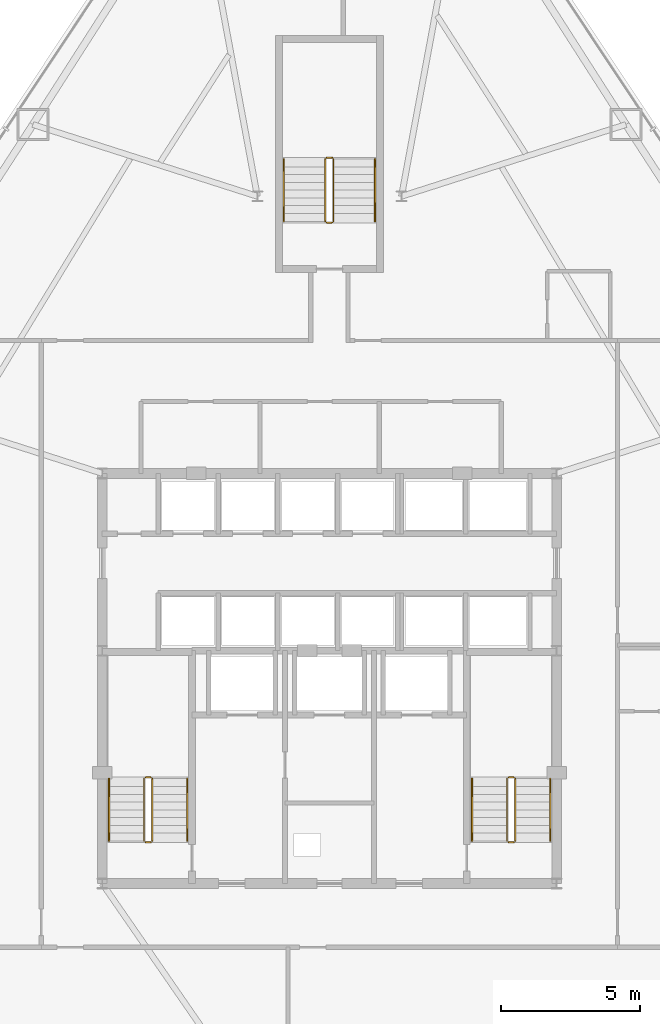
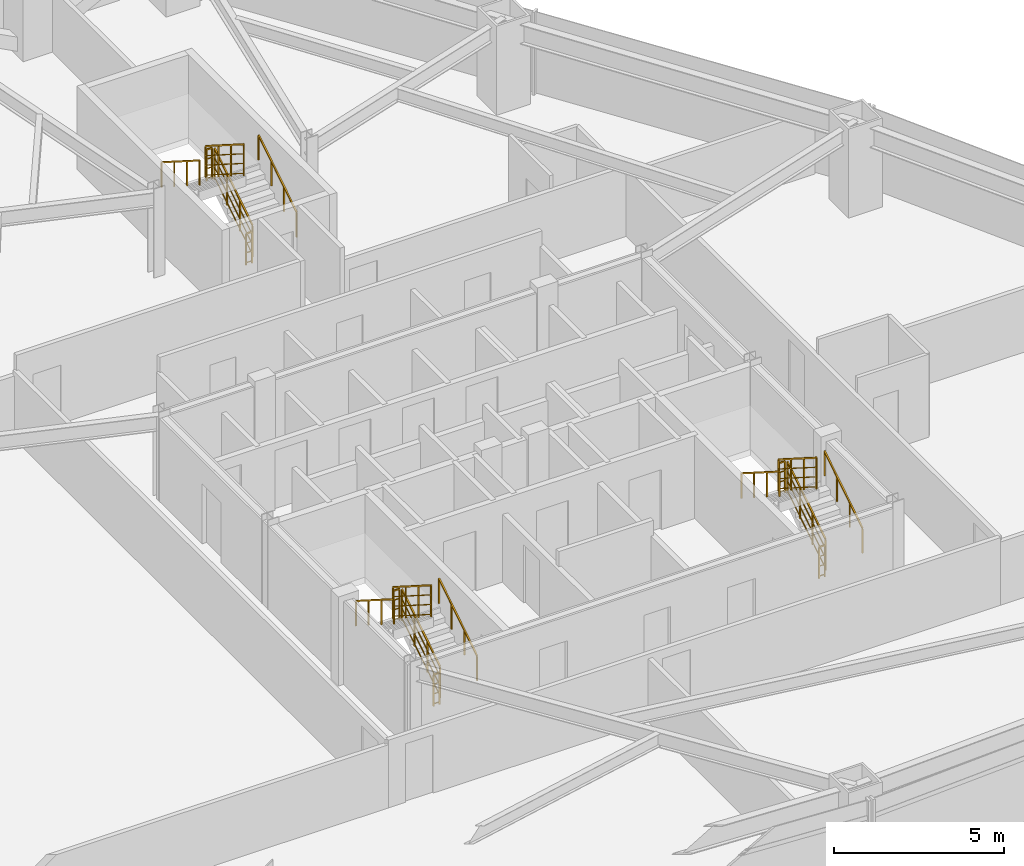
# One storey, part 12 of 12: 18 railings.
"""IFC4 building model written with IfcOpenShell, lengths in metres."""

from ifc_helpers import new_model, si_unit, direction, frame, origin, origin_2d, place, context, subcontext, project, spatial, rectangle, extrude, material, type_object, element, save


model = new_model("IFC4")

# Units and contexts
model_context = context("Model", 3, precision=1e-05, world=origin(), true_north=direction((0.0, 1.0)))
body_context = subcontext(model_context, "Body", "Model", "MODEL_VIEW")
ifc_project = project(units=[si_unit("LENGTHUNIT", "METRE"), si_unit("AREAUNIT", "SQUARE_METRE"), si_unit("VOLUMEUNIT", "CUBIC_METRE"), si_unit("PLANEANGLEUNIT", "RADIAN"), si_unit("MASSUNIT", "GRAM", prefix="KILO")], contexts=[model_context])

# Site, building, storey
site_placement = place(None, origin())
site = spatial("IfcSite", under=ifc_project, at=site_placement, CompositionType="ELEMENT")
building_placement = place(site_placement, origin())
building = spatial("IfcBuilding", under=site, at=building_placement, Name="Varakhsha Concourse Tower", CompositionType="ELEMENT")
storey_placement = place(building_placement, frame((0.0, 0.0, 62.39990234375)))
storey = spatial("IfcBuildingStorey", under=building, at=storey_placement, Name="L17", CompositionType="ELEMENT", Elevation=62.39990234375)

# Railings
ifc_material = material(Name="Brushed Austenitic Stainless Steel AISI 316", Category="steel")
railing_type_1 = type_object("IfcRailingType", Name="RL-STAIR-GUARD-1100", PredefinedType="GUARDRAIL", material=ifc_material)
railing_1_placement = place(storey_placement, frame((33.610107421875, 17.93994140625, 0.177978515625)))
element("IfcRailing", 1, at=railing_1_placement, inside=storey, type_object=railing_type_1, Name="L17 ST1 stair guard 1", PredefinedType="GUARDRAIL", context=body_context, shape_type="SweptSolid", body=[
    extrude(rectangle(XDim=0.048095703125, YDim=0.048095703125, at=origin_2d()), frame((0.0, 0.0, 1.1259765625), z_axis=(0.0, 0.8442293374, 0.53598211339), x_axis=(-1.0, 0.0, 0.0)), (0.0, 0.0, 1.0), 2.6533203125),
    extrude(rectangle(XDim=0.028076171875, YDim=0.028076171875, at=origin_2d()), frame((0.0, 0.0, 0.080078125), z_axis=(0.0, 0.8442293374, 0.53598211339), x_axis=(-1.0, 0.0, 0.0)), (0.0, 0.0, 1.0), 2.6533203125),
    extrude(rectangle(XDim=0.028076171875, YDim=0.028076171875, at=origin_2d()), frame((0.0, 0.0, 0.43701171875), z_axis=(0.0, 0.8442293374, 0.53598211339), x_axis=(-1.0, 0.0, 0.0)), (0.0, 0.0, 1.0), 2.6533203125),
    extrude(rectangle(XDim=0.028076171875, YDim=0.028076171875, at=origin_2d()), frame((0.0, 0.0, 0.781982421875), z_axis=(0.0, 0.8442293374, 0.53598211339), x_axis=(-1.0, 0.0, 0.0)), (0.0, 0.0, 1.0), 2.6533203125),
    extrude(rectangle(XDim=0.0419921875, YDim=0.0419921875, at=origin_2d()), origin(), (0.0, 0.0, 1.0), 1.101806640625),
    extrude(rectangle(XDim=0.0419921875, YDim=0.0419921875, at=origin_2d()), frame((0.0, 0.74658203125, 0.47412109375)), (0.0, 0.0, 1.0), 1.101806640625),
    extrude(rectangle(XDim=0.0419921875, YDim=0.0419921875, at=origin_2d()), frame((0.0, 1.493408203125, 0.947998046875)), (0.0, 0.0, 1.0), 1.101806640625),
    extrude(rectangle(XDim=0.0419921875, YDim=0.0419921875, at=origin_2d()), frame((0.0, 2.239990234375, 1.422119140625)), (0.0, 0.0, 1.0), 1.101806640625),
])
railing_2_placement = place(storey_placement, frame((33.56005859375, 20.22998046875, 1.60009765625)))
element("IfcRailing", 2, at=railing_2_placement, inside=storey, type_object=railing_type_1, Name="L17 ST1 stair guard 2", PredefinedType="GUARDRAIL", context=body_context, shape_type="SweptSolid", body=[
    extrude(rectangle(XDim=0.048095703125, YDim=0.048095703125, at=origin_2d()), frame((0.0, 0.0, 1.1259765625), z_axis=(-1.0, 0.0, 0.0), x_axis=(0.0, -1.0, 0.0)), (0.0, 0.0, 1.0), 0.199951171875),
    extrude(rectangle(XDim=0.028076171875, YDim=0.028076171875, at=origin_2d()), frame((0.0, 0.0, 0.080078125), z_axis=(-1.0, 0.0, 0.0), x_axis=(0.0, -1.0, 0.0)), (0.0, 0.0, 1.0), 0.199951171875),
    extrude(rectangle(XDim=0.028076171875, YDim=0.028076171875, at=origin_2d()), frame((0.0, 0.0, 0.43701171875), z_axis=(-1.0, 0.0, 0.0), x_axis=(0.0, -1.0, 0.0)), (0.0, 0.0, 1.0), 0.199951171875),
    extrude(rectangle(XDim=0.028076171875, YDim=0.028076171875, at=origin_2d()), frame((0.0, 0.0, 0.781982421875), z_axis=(-1.0, 0.0, 0.0), x_axis=(0.0, -1.0, 0.0)), (0.0, 0.0, 1.0), 0.199951171875),
    extrude(rectangle(XDim=0.0419921875, YDim=0.0419921875, at=origin_2d()), origin(), (0.0, 0.0, 1.0), 1.101806640625),
    extrude(rectangle(XDim=0.0419921875, YDim=0.0419921875, at=origin_2d()), frame((-0.199951171875, 0.0, 0.0)), (0.0, 0.0, 1.0), 1.101806640625),
])
railing_3_placement = place(storey_placement, frame((33.31005859375, 20.179931640625, 1.77783203125)))
element("IfcRailing", 3, at=railing_3_placement, inside=storey, type_object=railing_type_1, Name="L17 ST1 stair guard 3", PredefinedType="GUARDRAIL", context=body_context, shape_type="SweptSolid", body=[
    extrude(rectangle(XDim=0.048095703125, YDim=0.048095703125, at=origin_2d()), frame((0.0, 0.0, 1.1259765625), z_axis=(0.0, -0.84418770128, 0.536047689118), x_axis=(1.0, 0.0, 0.0)), (0.0, 0.0, 1.0), 2.6533203125),
    extrude(rectangle(XDim=0.028076171875, YDim=0.028076171875, at=origin_2d()), frame((0.0, 0.0, 0.080078125), z_axis=(0.0, -0.84418770128, 0.536047689118), x_axis=(1.0, 0.0, 0.0)), (0.0, 0.0, 1.0), 2.6533203125),
    extrude(rectangle(XDim=0.028076171875, YDim=0.028076171875, at=origin_2d()), frame((0.0, 0.0, 0.43701171875), z_axis=(0.0, -0.84418770128, 0.536047689118), x_axis=(1.0, 0.0, 0.0)), (0.0, 0.0, 1.0), 2.6533203125),
    extrude(rectangle(XDim=0.028076171875, YDim=0.028076171875, at=origin_2d()), frame((0.0, 0.0, 0.781982421875), z_axis=(0.0, -0.84418770128, 0.536047689118), x_axis=(1.0, 0.0, 0.0)), (0.0, 0.0, 1.0), 2.6533203125),
    extrude(rectangle(XDim=0.0419921875, YDim=0.0419921875, at=origin_2d()), origin(), (0.0, 0.0, 1.0), 1.101806640625),
    extrude(rectangle(XDim=0.0419921875, YDim=0.0419921875, at=origin_2d()), frame((0.0, -0.74658203125, 0.47412109375)), (0.0, 0.0, 1.0), 1.101806640625),
    extrude(rectangle(XDim=0.0419921875, YDim=0.0419921875, at=origin_2d()), frame((0.0, -1.493408203125, 0.9482421875)), (0.0, 0.0, 1.0), 1.101806640625),
    extrude(rectangle(XDim=0.0419921875, YDim=0.0419921875, at=origin_2d()), frame((0.0, -2.239990234375, 1.42236328125)), (0.0, 0.0, 1.0), 1.101806640625),
])
railing_4_placement = place(storey_placement, frame((33.56005859375, 17.889892578125, 0.0)))
element("IfcRailing", 4, at=railing_4_placement, inside=storey, type_object=railing_type_1, Name="L17 ST1 stair guard 4", PredefinedType="GUARDRAIL", context=body_context, shape_type="SweptSolid", body=[
    extrude(rectangle(XDim=0.048095703125, YDim=0.048095703125, at=origin_2d()), frame((0.0, 0.0, 1.1259765625), z_axis=(-1.0, 0.0, 0.0), x_axis=(0.0, -1.0, 0.0)), (0.0, 0.0, 1.0), 0.199951171875),
    extrude(rectangle(XDim=0.028076171875, YDim=0.028076171875, at=origin_2d()), frame((0.0, 0.0, 0.080078125), z_axis=(-1.0, 0.0, 0.0), x_axis=(0.0, -1.0, 0.0)), (0.0, 0.0, 1.0), 0.199951171875),
    extrude(rectangle(XDim=0.028076171875, YDim=0.028076171875, at=origin_2d()), frame((0.0, 0.0, 0.43701171875), z_axis=(-1.0, 0.0, 0.0), x_axis=(0.0, -1.0, 0.0)), (0.0, 0.0, 1.0), 0.199951171875),
    extrude(rectangle(XDim=0.028076171875, YDim=0.028076171875, at=origin_2d()), frame((0.0, 0.0, 0.781982421875), z_axis=(-1.0, 0.0, 0.0), x_axis=(0.0, -1.0, 0.0)), (0.0, 0.0, 1.0), 0.199951171875),
    extrude(rectangle(XDim=0.0419921875, YDim=0.0419921875, at=origin_2d()), origin(), (0.0, 0.0, 1.0), 1.101806640625),
    extrude(rectangle(XDim=0.0419921875, YDim=0.0419921875, at=origin_2d()), frame((-0.199951171875, 0.0, 0.0)), (0.0, 0.0, 1.0), 1.101806640625),
])
railing_5_placement = place(storey_placement, frame((46.7099609375, 17.93994140625, 0.177978515625)))
element("IfcRailing", 5, at=railing_5_placement, inside=storey, type_object=railing_type_1, Name="L17 ST2 stair guard 1", PredefinedType="GUARDRAIL", context=body_context, shape_type="SweptSolid", body=[
    extrude(rectangle(XDim=0.048095703125, YDim=0.048095703125, at=origin_2d()), frame((0.0, 0.0, 1.1259765625), z_axis=(0.0, 0.8442293374, 0.53598211339), x_axis=(-1.0, 0.0, 0.0)), (0.0, 0.0, 1.0), 2.6533203125),
    extrude(rectangle(XDim=0.028076171875, YDim=0.028076171875, at=origin_2d()), frame((0.0, 0.0, 0.080078125), z_axis=(0.0, 0.8442293374, 0.53598211339), x_axis=(-1.0, 0.0, 0.0)), (0.0, 0.0, 1.0), 2.6533203125),
    extrude(rectangle(XDim=0.028076171875, YDim=0.028076171875, at=origin_2d()), frame((0.0, 0.0, 0.43701171875), z_axis=(0.0, 0.8442293374, 0.53598211339), x_axis=(-1.0, 0.0, 0.0)), (0.0, 0.0, 1.0), 2.6533203125),
    extrude(rectangle(XDim=0.028076171875, YDim=0.028076171875, at=origin_2d()), frame((0.0, 0.0, 0.781982421875), z_axis=(0.0, 0.8442293374, 0.53598211339), x_axis=(-1.0, 0.0, 0.0)), (0.0, 0.0, 1.0), 2.6533203125),
    extrude(rectangle(XDim=0.0419921875, YDim=0.0419921875, at=origin_2d()), origin(), (0.0, 0.0, 1.0), 1.101806640625),
    extrude(rectangle(XDim=0.0419921875, YDim=0.0419921875, at=origin_2d()), frame((0.0, 0.74658203125, 0.47412109375)), (0.0, 0.0, 1.0), 1.101806640625),
    extrude(rectangle(XDim=0.0419921875, YDim=0.0419921875, at=origin_2d()), frame((0.0, 1.493408203125, 0.947998046875)), (0.0, 0.0, 1.0), 1.101806640625),
    extrude(rectangle(XDim=0.0419921875, YDim=0.0419921875, at=origin_2d()), frame((0.0, 2.239990234375, 1.422119140625)), (0.0, 0.0, 1.0), 1.101806640625),
])
railing_6_placement = place(storey_placement, frame((46.659912109375, 20.22998046875, 1.60009765625)))
element("IfcRailing", 6, at=railing_6_placement, inside=storey, type_object=railing_type_1, Name="L17 ST2 stair guard 2", PredefinedType="GUARDRAIL", context=body_context, shape_type="SweptSolid", body=[
    extrude(rectangle(XDim=0.048095703125, YDim=0.048095703125, at=origin_2d()), frame((0.0, 0.0, 1.1259765625), z_axis=(-1.0, 0.0, 0.0), x_axis=(0.0, -1.0, 0.0)), (0.0, 0.0, 1.0), 0.199951171875),
    extrude(rectangle(XDim=0.028076171875, YDim=0.028076171875, at=origin_2d()), frame((0.0, 0.0, 0.080078125), z_axis=(-1.0, 0.0, 0.0), x_axis=(0.0, -1.0, 0.0)), (0.0, 0.0, 1.0), 0.199951171875),
    extrude(rectangle(XDim=0.028076171875, YDim=0.028076171875, at=origin_2d()), frame((0.0, 0.0, 0.43701171875), z_axis=(-1.0, 0.0, 0.0), x_axis=(0.0, -1.0, 0.0)), (0.0, 0.0, 1.0), 0.199951171875),
    extrude(rectangle(XDim=0.028076171875, YDim=0.028076171875, at=origin_2d()), frame((0.0, 0.0, 0.781982421875), z_axis=(-1.0, 0.0, 0.0), x_axis=(0.0, -1.0, 0.0)), (0.0, 0.0, 1.0), 0.199951171875),
    extrude(rectangle(XDim=0.0419921875, YDim=0.0419921875, at=origin_2d()), origin(), (0.0, 0.0, 1.0), 1.101806640625),
    extrude(rectangle(XDim=0.0419921875, YDim=0.0419921875, at=origin_2d()), frame((-0.199951171875, 0.0, 0.0)), (0.0, 0.0, 1.0), 1.101806640625),
])
railing_7_placement = place(storey_placement, frame((46.409912109375, 20.179931640625, 1.77783203125)))
element("IfcRailing", 7, at=railing_7_placement, inside=storey, type_object=railing_type_1, Name="L17 ST2 stair guard 3", PredefinedType="GUARDRAIL", context=body_context, shape_type="SweptSolid", body=[
    extrude(rectangle(XDim=0.048095703125, YDim=0.048095703125, at=origin_2d()), frame((0.0, 0.0, 1.1259765625), z_axis=(0.0, -0.84418770128, 0.536047689118), x_axis=(1.0, 0.0, 0.0)), (0.0, 0.0, 1.0), 2.6533203125),
    extrude(rectangle(XDim=0.028076171875, YDim=0.028076171875, at=origin_2d()), frame((0.0, 0.0, 0.080078125), z_axis=(0.0, -0.84418770128, 0.536047689118), x_axis=(1.0, 0.0, 0.0)), (0.0, 0.0, 1.0), 2.6533203125),
    extrude(rectangle(XDim=0.028076171875, YDim=0.028076171875, at=origin_2d()), frame((0.0, 0.0, 0.43701171875), z_axis=(0.0, -0.84418770128, 0.536047689118), x_axis=(1.0, 0.0, 0.0)), (0.0, 0.0, 1.0), 2.6533203125),
    extrude(rectangle(XDim=0.028076171875, YDim=0.028076171875, at=origin_2d()), frame((0.0, 0.0, 0.781982421875), z_axis=(0.0, -0.84418770128, 0.536047689118), x_axis=(1.0, 0.0, 0.0)), (0.0, 0.0, 1.0), 2.6533203125),
    extrude(rectangle(XDim=0.0419921875, YDim=0.0419921875, at=origin_2d()), origin(), (0.0, 0.0, 1.0), 1.101806640625),
    extrude(rectangle(XDim=0.0419921875, YDim=0.0419921875, at=origin_2d()), frame((0.0, -0.74658203125, 0.47412109375)), (0.0, 0.0, 1.0), 1.101806640625),
    extrude(rectangle(XDim=0.0419921875, YDim=0.0419921875, at=origin_2d()), frame((0.0, -1.493408203125, 0.9482421875)), (0.0, 0.0, 1.0), 1.101806640625),
    extrude(rectangle(XDim=0.0419921875, YDim=0.0419921875, at=origin_2d()), frame((0.0, -2.239990234375, 1.42236328125)), (0.0, 0.0, 1.0), 1.101806640625),
])
railing_8_placement = place(storey_placement, frame((46.659912109375, 17.889892578125, 0.0)))
element("IfcRailing", 8, at=railing_8_placement, inside=storey, type_object=railing_type_1, Name="L17 ST2 stair guard 4", PredefinedType="GUARDRAIL", context=body_context, shape_type="SweptSolid", body=[
    extrude(rectangle(XDim=0.048095703125, YDim=0.048095703125, at=origin_2d()), frame((0.0, 0.0, 1.1259765625), z_axis=(-1.0, 0.0, 0.0), x_axis=(0.0, -1.0, 0.0)), (0.0, 0.0, 1.0), 0.199951171875),
    extrude(rectangle(XDim=0.028076171875, YDim=0.028076171875, at=origin_2d()), frame((0.0, 0.0, 0.080078125), z_axis=(-1.0, 0.0, 0.0), x_axis=(0.0, -1.0, 0.0)), (0.0, 0.0, 1.0), 0.199951171875),
    extrude(rectangle(XDim=0.028076171875, YDim=0.028076171875, at=origin_2d()), frame((0.0, 0.0, 0.43701171875), z_axis=(-1.0, 0.0, 0.0), x_axis=(0.0, -1.0, 0.0)), (0.0, 0.0, 1.0), 0.199951171875),
    extrude(rectangle(XDim=0.028076171875, YDim=0.028076171875, at=origin_2d()), frame((0.0, 0.0, 0.781982421875), z_axis=(-1.0, 0.0, 0.0), x_axis=(0.0, -1.0, 0.0)), (0.0, 0.0, 1.0), 0.199951171875),
    extrude(rectangle(XDim=0.0419921875, YDim=0.0419921875, at=origin_2d()), origin(), (0.0, 0.0, 1.0), 1.101806640625),
    extrude(rectangle(XDim=0.0419921875, YDim=0.0419921875, at=origin_2d()), frame((-0.199951171875, 0.0, 0.0)), (0.0, 0.0, 1.0), 1.101806640625),
])
railing_9_placement = place(storey_placement, frame((40.14990234375, 40.300048828125, 0.177978515625)))
element("IfcRailing", 9, at=railing_9_placement, inside=storey, type_object=railing_type_1, Name="L17 ST5 stair guard 1", PredefinedType="GUARDRAIL", context=body_context, shape_type="SweptSolid", body=[
    extrude(rectangle(XDim=0.048095703125, YDim=0.048095703125, at=origin_2d()), frame((0.0, 0.0, 1.1259765625), z_axis=(0.0, 0.8442293374, 0.53598211339), x_axis=(-1.0, 0.0, 0.0)), (0.0, 0.0, 1.0), 2.6533203125),
    extrude(rectangle(XDim=0.028076171875, YDim=0.028076171875, at=origin_2d()), frame((0.0, 0.0, 0.080078125), z_axis=(0.0, 0.8442293374, 0.53598211339), x_axis=(-1.0, 0.0, 0.0)), (0.0, 0.0, 1.0), 2.6533203125),
    extrude(rectangle(XDim=0.028076171875, YDim=0.028076171875, at=origin_2d()), frame((0.0, 0.0, 0.43701171875), z_axis=(0.0, 0.8442293374, 0.53598211339), x_axis=(-1.0, 0.0, 0.0)), (0.0, 0.0, 1.0), 2.6533203125),
    extrude(rectangle(XDim=0.028076171875, YDim=0.028076171875, at=origin_2d()), frame((0.0, 0.0, 0.781982421875), z_axis=(0.0, 0.8442293374, 0.53598211339), x_axis=(-1.0, 0.0, 0.0)), (0.0, 0.0, 1.0), 2.6533203125),
    extrude(rectangle(XDim=0.0419921875, YDim=0.0419921875, at=origin_2d()), origin(), (0.0, 0.0, 1.0), 1.101806640625),
    extrude(rectangle(XDim=0.0419921875, YDim=0.0419921875, at=origin_2d()), frame((0.0, 0.74658203125, 0.47412109375)), (0.0, 0.0, 1.0), 1.101806640625),
    extrude(rectangle(XDim=0.0419921875, YDim=0.0419921875, at=origin_2d()), frame((0.0, 1.493408203125, 0.947998046875)), (0.0, 0.0, 1.0), 1.101806640625),
    extrude(rectangle(XDim=0.0419921875, YDim=0.0419921875, at=origin_2d()), frame((0.0, 2.239990234375, 1.422119140625)), (0.0, 0.0, 1.0), 1.101806640625),
])
railing_10_placement = place(storey_placement, frame((40.10009765625, 42.590087890625, 1.60009765625)))
element("IfcRailing", 10, at=railing_10_placement, inside=storey, type_object=railing_type_1, Name="L17 ST5 stair guard 2", PredefinedType="GUARDRAIL", context=body_context, shape_type="SweptSolid", body=[
    extrude(rectangle(XDim=0.048095703125, YDim=0.048095703125, at=origin_2d()), frame((0.0, 0.0, 1.1259765625), z_axis=(-1.0, 0.0, 0.0), x_axis=(0.0, -1.0, 0.0)), (0.0, 0.0, 1.0), 0.2001953125),
    extrude(rectangle(XDim=0.028076171875, YDim=0.028076171875, at=origin_2d()), frame((0.0, 0.0, 0.080078125), z_axis=(-1.0, 0.0, 0.0), x_axis=(0.0, -1.0, 0.0)), (0.0, 0.0, 1.0), 0.2001953125),
    extrude(rectangle(XDim=0.028076171875, YDim=0.028076171875, at=origin_2d()), frame((0.0, 0.0, 0.43701171875), z_axis=(-1.0, 0.0, 0.0), x_axis=(0.0, -1.0, 0.0)), (0.0, 0.0, 1.0), 0.2001953125),
    extrude(rectangle(XDim=0.028076171875, YDim=0.028076171875, at=origin_2d()), frame((0.0, 0.0, 0.781982421875), z_axis=(-1.0, 0.0, 0.0), x_axis=(0.0, -1.0, 0.0)), (0.0, 0.0, 1.0), 0.2001953125),
    extrude(rectangle(XDim=0.0419921875, YDim=0.0419921875, at=origin_2d()), origin(), (0.0, 0.0, 1.0), 1.101806640625),
    extrude(rectangle(XDim=0.0419921875, YDim=0.0419921875, at=origin_2d()), frame((-0.2001953125, 0.0, 0.0)), (0.0, 0.0, 1.0), 1.101806640625),
])
railing_11_placement = place(storey_placement, frame((39.85009765625, 42.5400390625, 1.77783203125)))
element("IfcRailing", 11, at=railing_11_placement, inside=storey, type_object=railing_type_1, Name="L17 ST5 stair guard 3", PredefinedType="GUARDRAIL", context=body_context, shape_type="SweptSolid", body=[
    extrude(rectangle(XDim=0.048095703125, YDim=0.048095703125, at=origin_2d()), frame((0.0, 0.0, 1.1259765625), z_axis=(0.0, -0.84418770128, 0.536047689118), x_axis=(1.0, 0.0, 0.0)), (0.0, 0.0, 1.0), 2.6533203125),
    extrude(rectangle(XDim=0.028076171875, YDim=0.028076171875, at=origin_2d()), frame((0.0, 0.0, 0.080078125), z_axis=(0.0, -0.84418770128, 0.536047689118), x_axis=(1.0, 0.0, 0.0)), (0.0, 0.0, 1.0), 2.6533203125),
    extrude(rectangle(XDim=0.028076171875, YDim=0.028076171875, at=origin_2d()), frame((0.0, 0.0, 0.43701171875), z_axis=(0.0, -0.84418770128, 0.536047689118), x_axis=(1.0, 0.0, 0.0)), (0.0, 0.0, 1.0), 2.6533203125),
    extrude(rectangle(XDim=0.028076171875, YDim=0.028076171875, at=origin_2d()), frame((0.0, 0.0, 0.781982421875), z_axis=(0.0, -0.84418770128, 0.536047689118), x_axis=(1.0, 0.0, 0.0)), (0.0, 0.0, 1.0), 2.6533203125),
    extrude(rectangle(XDim=0.0419921875, YDim=0.0419921875, at=origin_2d()), origin(), (0.0, 0.0, 1.0), 1.101806640625),
    extrude(rectangle(XDim=0.0419921875, YDim=0.0419921875, at=origin_2d()), frame((0.0, -0.74658203125, 0.47412109375)), (0.0, 0.0, 1.0), 1.101806640625),
    extrude(rectangle(XDim=0.0419921875, YDim=0.0419921875, at=origin_2d()), frame((0.0, -1.493408203125, 0.9482421875)), (0.0, 0.0, 1.0), 1.101806640625),
    extrude(rectangle(XDim=0.0419921875, YDim=0.0419921875, at=origin_2d()), frame((0.0, -2.239990234375, 1.42236328125)), (0.0, 0.0, 1.0), 1.101806640625),
])
railing_12_placement = place(storey_placement, frame((40.10009765625, 40.25, 0.0)))
element("IfcRailing", 12, at=railing_12_placement, inside=storey, type_object=railing_type_1, Name="L17 ST5 stair guard 4", PredefinedType="GUARDRAIL", context=body_context, shape_type="SweptSolid", body=[
    extrude(rectangle(XDim=0.048095703125, YDim=0.048095703125, at=origin_2d()), frame((0.0, 0.0, 1.1259765625), z_axis=(-1.0, 0.0, 0.0), x_axis=(0.0, -1.0, 0.0)), (0.0, 0.0, 1.0), 0.2001953125),
    extrude(rectangle(XDim=0.028076171875, YDim=0.028076171875, at=origin_2d()), frame((0.0, 0.0, 0.080078125), z_axis=(-1.0, 0.0, 0.0), x_axis=(0.0, -1.0, 0.0)), (0.0, 0.0, 1.0), 0.2001953125),
    extrude(rectangle(XDim=0.028076171875, YDim=0.028076171875, at=origin_2d()), frame((0.0, 0.0, 0.43701171875), z_axis=(-1.0, 0.0, 0.0), x_axis=(0.0, -1.0, 0.0)), (0.0, 0.0, 1.0), 0.2001953125),
    extrude(rectangle(XDim=0.028076171875, YDim=0.028076171875, at=origin_2d()), frame((0.0, 0.0, 0.781982421875), z_axis=(-1.0, 0.0, 0.0), x_axis=(0.0, -1.0, 0.0)), (0.0, 0.0, 1.0), 0.2001953125),
    extrude(rectangle(XDim=0.0419921875, YDim=0.0419921875, at=origin_2d()), origin(), (0.0, 0.0, 1.0), 1.101806640625),
    extrude(rectangle(XDim=0.0419921875, YDim=0.0419921875, at=origin_2d()), frame((-0.2001953125, 0.0, 0.0)), (0.0, 0.0, 1.0), 1.101806640625),
])
railing_type_2 = type_object("IfcRailingType", Name="RL-STAIR-RAIL-915", PredefinedType="HANDRAIL", material=ifc_material)
railing_13_placement = place(storey_placement, frame((34.8701171875, 17.93994140625, 0.355712890625)))
element("IfcRailing", 13, at=railing_13_placement, inside=storey, type_object=railing_type_2, Name="L17 ST1 stair handrail 1", PredefinedType="HANDRAIL", context=body_context, shape_type="SweptSolid", body=[
    extrude(rectangle(XDim=0.048095703125, YDim=0.048095703125, at=origin_2d()), frame((0.0, 0.0, 0.89111328125), z_axis=(0.0, 0.8442293374, 0.53598211339), x_axis=(-1.0, 0.0, 0.0)), (0.0, 0.0, 1.0), 2.6533203125),
    extrude(rectangle(XDim=0.0419921875, YDim=0.0419921875, at=origin_2d()), origin(), (0.0, 0.0, 1.0), 0.866943359375),
    extrude(rectangle(XDim=0.0419921875, YDim=0.0419921875, at=origin_2d()), frame((0.0, 0.74658203125, 0.47412109375)), (0.0, 0.0, 1.0), 0.866943359375),
    extrude(rectangle(XDim=0.0419921875, YDim=0.0419921875, at=origin_2d()), frame((0.0, 1.493408203125, 0.947998046875)), (0.0, 0.0, 1.0), 0.866943359375),
    extrude(rectangle(XDim=0.0419921875, YDim=0.0419921875, at=origin_2d()), frame((0.0, 2.239990234375, 1.422119140625)), (0.0, 0.0, 1.0), 0.866943359375),
])
railing_14_placement = place(storey_placement, frame((32.050048828125, 20.179931640625, 1.95556640625)))
element("IfcRailing", 14, at=railing_14_placement, inside=storey, type_object=railing_type_2, Name="L17 ST1 stair handrail 2", PredefinedType="HANDRAIL", context=body_context, shape_type="SweptSolid", body=[
    extrude(rectangle(XDim=0.048095703125, YDim=0.048095703125, at=origin_2d()), frame((0.0, 0.0, 0.89111328125), z_axis=(0.0, -0.84418770128, 0.536047689118), x_axis=(1.0, 0.0, 0.0)), (0.0, 0.0, 1.0), 2.6533203125),
    extrude(rectangle(XDim=0.0419921875, YDim=0.0419921875, at=origin_2d()), origin(), (0.0, 0.0, 1.0), 0.866943359375),
    extrude(rectangle(XDim=0.0419921875, YDim=0.0419921875, at=origin_2d()), frame((0.0, -0.74658203125, 0.47412109375)), (0.0, 0.0, 1.0), 0.866943359375),
    extrude(rectangle(XDim=0.0419921875, YDim=0.0419921875, at=origin_2d()), frame((0.0, -1.493408203125, 0.9482421875)), (0.0, 0.0, 1.0), 0.866943359375),
    extrude(rectangle(XDim=0.0419921875, YDim=0.0419921875, at=origin_2d()), frame((0.0, -2.239990234375, 1.42236328125)), (0.0, 0.0, 1.0), 0.866943359375),
])
railing_15_placement = place(storey_placement, frame((47.969970703125, 17.93994140625, 0.355712890625)))
element("IfcRailing", 15, at=railing_15_placement, inside=storey, type_object=railing_type_2, Name="L17 ST2 stair handrail 1", PredefinedType="HANDRAIL", context=body_context, shape_type="SweptSolid", body=[
    extrude(rectangle(XDim=0.048095703125, YDim=0.048095703125, at=origin_2d()), frame((0.0, 0.0, 0.89111328125), z_axis=(0.0, 0.8442293374, 0.53598211339), x_axis=(-1.0, 0.0, 0.0)), (0.0, 0.0, 1.0), 2.6533203125),
    extrude(rectangle(XDim=0.0419921875, YDim=0.0419921875, at=origin_2d()), origin(), (0.0, 0.0, 1.0), 0.866943359375),
    extrude(rectangle(XDim=0.0419921875, YDim=0.0419921875, at=origin_2d()), frame((0.0, 0.74658203125, 0.47412109375)), (0.0, 0.0, 1.0), 0.866943359375),
    extrude(rectangle(XDim=0.0419921875, YDim=0.0419921875, at=origin_2d()), frame((0.0, 1.493408203125, 0.947998046875)), (0.0, 0.0, 1.0), 0.866943359375),
    extrude(rectangle(XDim=0.0419921875, YDim=0.0419921875, at=origin_2d()), frame((0.0, 2.239990234375, 1.422119140625)), (0.0, 0.0, 1.0), 0.866943359375),
])
railing_16_placement = place(storey_placement, frame((45.14990234375, 20.179931640625, 1.95556640625)))
element("IfcRailing", 16, at=railing_16_placement, inside=storey, type_object=railing_type_2, Name="L17 ST2 stair handrail 2", PredefinedType="HANDRAIL", context=body_context, shape_type="SweptSolid", body=[
    extrude(rectangle(XDim=0.048095703125, YDim=0.048095703125, at=origin_2d()), frame((0.0, 0.0, 0.89111328125), z_axis=(0.0, -0.84418770128, 0.536047689118), x_axis=(1.0, 0.0, 0.0)), (0.0, 0.0, 1.0), 2.6533203125),
    extrude(rectangle(XDim=0.0419921875, YDim=0.0419921875, at=origin_2d()), origin(), (0.0, 0.0, 1.0), 0.866943359375),
    extrude(rectangle(XDim=0.0419921875, YDim=0.0419921875, at=origin_2d()), frame((0.0, -0.74658203125, 0.47412109375)), (0.0, 0.0, 1.0), 0.866943359375),
    extrude(rectangle(XDim=0.0419921875, YDim=0.0419921875, at=origin_2d()), frame((0.0, -1.493408203125, 0.9482421875)), (0.0, 0.0, 1.0), 0.866943359375),
    extrude(rectangle(XDim=0.0419921875, YDim=0.0419921875, at=origin_2d()), frame((0.0, -2.239990234375, 1.42236328125)), (0.0, 0.0, 1.0), 0.866943359375),
])
railing_17_placement = place(storey_placement, frame((41.64990234375, 40.300048828125, 0.355712890625)))
element("IfcRailing", 17, at=railing_17_placement, inside=storey, type_object=railing_type_2, Name="L17 ST5 stair handrail 1", PredefinedType="HANDRAIL", context=body_context, shape_type="SweptSolid", body=[
    extrude(rectangle(XDim=0.048095703125, YDim=0.048095703125, at=origin_2d()), frame((0.0, 0.0, 0.89111328125), z_axis=(0.0, 0.8442293374, 0.53598211339), x_axis=(-1.0, 0.0, 0.0)), (0.0, 0.0, 1.0), 2.6533203125),
    extrude(rectangle(XDim=0.0419921875, YDim=0.0419921875, at=origin_2d()), origin(), (0.0, 0.0, 1.0), 0.866943359375),
    extrude(rectangle(XDim=0.0419921875, YDim=0.0419921875, at=origin_2d()), frame((0.0, 0.74658203125, 0.47412109375)), (0.0, 0.0, 1.0), 0.866943359375),
    extrude(rectangle(XDim=0.0419921875, YDim=0.0419921875, at=origin_2d()), frame((0.0, 1.493408203125, 0.947998046875)), (0.0, 0.0, 1.0), 0.866943359375),
    extrude(rectangle(XDim=0.0419921875, YDim=0.0419921875, at=origin_2d()), frame((0.0, 2.239990234375, 1.422119140625)), (0.0, 0.0, 1.0), 0.866943359375),
])
railing_18_placement = place(storey_placement, frame((38.35009765625, 42.5400390625, 1.95556640625)))
element("IfcRailing", 18, at=railing_18_placement, inside=storey, type_object=railing_type_2, Name="L17 ST5 stair handrail 2", PredefinedType="HANDRAIL", context=body_context, shape_type="SweptSolid", body=[
    extrude(rectangle(XDim=0.048095703125, YDim=0.048095703125, at=origin_2d()), frame((0.0, 0.0, 0.89111328125), z_axis=(0.0, -0.84418770128, 0.536047689118), x_axis=(1.0, 0.0, 0.0)), (0.0, 0.0, 1.0), 2.6533203125),
    extrude(rectangle(XDim=0.0419921875, YDim=0.0419921875, at=origin_2d()), origin(), (0.0, 0.0, 1.0), 0.866943359375),
    extrude(rectangle(XDim=0.0419921875, YDim=0.0419921875, at=origin_2d()), frame((0.0, -0.74658203125, 0.47412109375)), (0.0, 0.0, 1.0), 0.866943359375),
    extrude(rectangle(XDim=0.0419921875, YDim=0.0419921875, at=origin_2d()), frame((0.0, -1.493408203125, 0.9482421875)), (0.0, 0.0, 1.0), 0.866943359375),
    extrude(rectangle(XDim=0.0419921875, YDim=0.0419921875, at=origin_2d()), frame((0.0, -2.239990234375, 1.42236328125)), (0.0, 0.0, 1.0), 0.866943359375),
])

save(model, "model.ifc")
